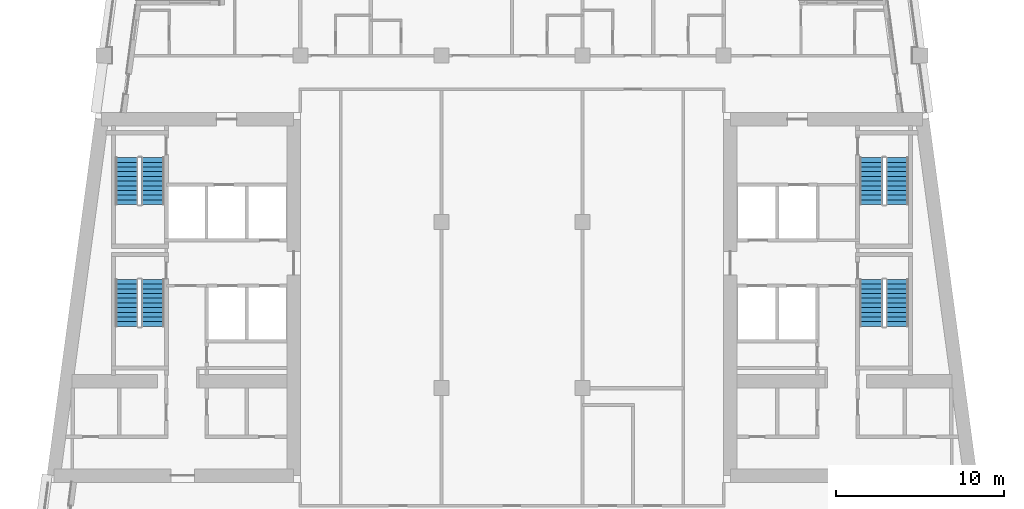
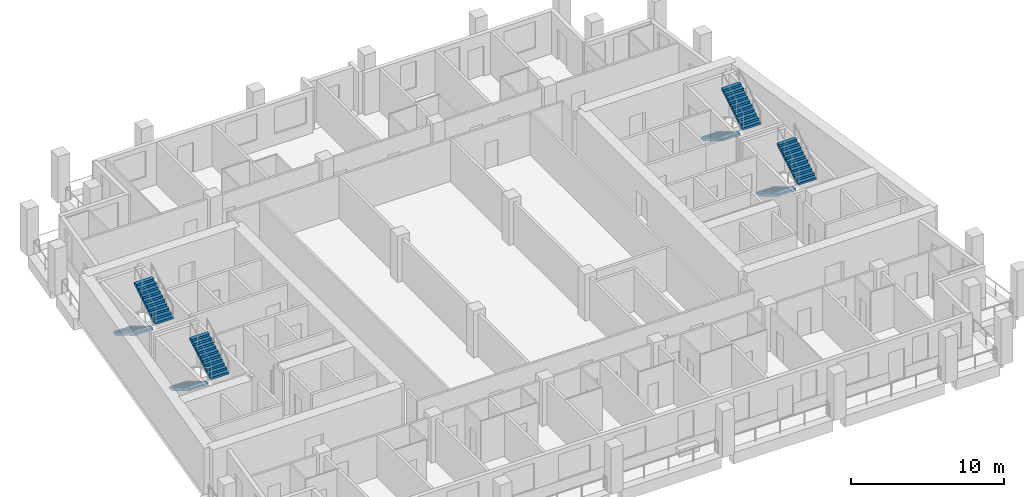
# One storey, part 8 of 13: 8 stair flights, 4 elements without a shape of their own.
"""IFC4 building model written with IfcOpenShell, lengths in metres."""

from ifc_helpers import new_model, si_unit, direction, frame, origin, place, context, subcontext, project, spatial, polyline, outline, extrude, material, type_object, element, aggregate, save


model = new_model("IFC4")

# Units and contexts
model_context = context("Model", 3, precision=1e-05, world=origin(), true_north=direction((0.0, 1.0)))
body_context = subcontext(model_context, "Body", "Model", "MODEL_VIEW")
ifc_project = project(units=[si_unit("LENGTHUNIT", "METRE"), si_unit("AREAUNIT", "SQUARE_METRE"), si_unit("VOLUMEUNIT", "CUBIC_METRE"), si_unit("PLANEANGLEUNIT", "RADIAN"), si_unit("MASSUNIT", "GRAM", prefix="KILO")], contexts=[model_context])

# Site, building, storey
site_placement = place(None, origin())
site = spatial("IfcSite", under=ifc_project, at=site_placement, CompositionType="ELEMENT")
building_placement = place(site_placement, origin())
building = spatial("IfcBuilding", under=site, at=building_placement, Name="Candeia Pilgrim Tower and Theatre", CompositionType="ELEMENT")
storey_placement = place(building_placement, frame((0.0, 0.0, 205.89990234375)))
storey = spatial("IfcBuildingStorey", under=building, at=storey_placement, Name="L49", CompositionType="ELEMENT", Elevation=205.89990234375)

# Stair, stair flights
ifc_material = material(Name="Concrete C40/50", Category="concrete")
stair_type = type_object("IfcStairType", Name="ST-TWR dog-leg escape stair", PredefinedType="HALF_TURN_STAIR", material=ifc_material)
stair_1_placement = place(storey_placement, origin())
stair_1 = element("IfcStair", 1, at=stair_1_placement, inside=storey, type_object=stair_type, Name="L49 Escape stair ST1", PredefinedType="HALF_TURN_STAIR")
stair_flight_type = type_object("IfcStairFlightType", Name="SFL-RC stair flight", PredefinedType="STRAIGHT", material=ifc_material)
stair_flight_1_placement = place(storey_placement, frame((90.47705078125, 122.47509765625, 0.0), z_axis=(0.0, 0.0, 1.0), x_axis=(0.0, -1.0, 0.0)))
stair_flight_1 = element("IfcStairFlight", 2, at=stair_flight_1_placement, type_object=stair_flight_type, Name="ST1 flight 1", NumberOfRisers=11, NumberOfTreads=10, PredefinedType="STRAIGHT", RiserHeight=0.168181818, TreadLength=0.28, context=body_context, shape_type="SweptSolid", body=[
    extrude(outline(polyline([(0.0, 0.0), (0.0, 0.168212890625), (0.280029296875, 0.168212890625), (0.280029296875, 0.33642578125), (0.56005859375, 0.33642578125), (0.56005859375, 0.504638671875), (0.840087890625, 0.504638671875), (0.840087890625, 0.672607421875), (1.1201171875, 0.672607421875), (1.1201171875, 0.8408203125), (1.39990234375, 0.8408203125), (1.39990234375, 1.009033203125), (1.679931640625, 1.009033203125), (1.679931640625, 1.17724609375), (1.9599609375, 1.17724609375), (1.9599609375, 1.345458984375), (2.239990234375, 1.345458984375), (2.239990234375, 1.513671875), (2.52001953125, 1.513671875), (2.52001953125, 1.681884765625), (2.800048828125, 1.681884765625), (2.800048828125, 1.85009765625), (2.800048828125, 1.5068359375), (0.291015625, 0.0), (0.0, 0.0)])), frame((0.0, 0.675048828125, 0.0), z_axis=(0.0, -1.0, 0.0), x_axis=(1.0, 0.0, 0.0)), (0.0, 0.0, 1.0), 1.35009765625),
])
stair_flight_2_placement = place(storey_placement, frame((92.027099609375, 119.675048828125, 1.85009765625), z_axis=(0.0, 0.0, 1.0), x_axis=(0.0, 1.0, 0.0)))
stair_flight_2 = element("IfcStairFlight", 3, at=stair_flight_2_placement, type_object=stair_flight_type, Name="ST1 flight 2", NumberOfRisers=11, NumberOfTreads=10, PredefinedType="STRAIGHT", RiserHeight=0.168181818, TreadLength=0.28, context=body_context, shape_type="SweptSolid", body=[
    extrude(outline(polyline([(0.0, 0.0), (0.0, 0.168212890625), (0.280029296875, 0.168212890625), (0.280029296875, 0.33642578125), (0.56005859375, 0.33642578125), (0.56005859375, 0.504638671875), (0.840087890625, 0.504638671875), (0.840087890625, 0.672607421875), (1.1201171875, 0.672607421875), (1.1201171875, 0.8408203125), (1.39990234375, 0.8408203125), (1.39990234375, 1.009033203125), (1.679931640625, 1.009033203125), (1.679931640625, 1.17724609375), (1.9599609375, 1.17724609375), (1.9599609375, 1.345458984375), (2.239990234375, 1.345458984375), (2.239990234375, 1.513671875), (2.52001953125, 1.513671875), (2.52001953125, 1.681884765625), (2.800048828125, 1.681884765625), (2.800048828125, 1.85009765625), (2.800048828125, 1.5068359375), (0.291015625, 0.0), (0.0, 0.0)])), frame((0.0, 0.675048828125, 0.0), z_axis=(0.0, -1.0, 0.0), x_axis=(1.0, 0.0, 0.0)), (0.0, 0.0, 1.0), 1.35009765625),
])
aggregate(stair_1, [stair_flight_1, stair_flight_2])

stair_2_placement = place(storey_placement, origin())
stair_2 = element("IfcStair", 4, at=stair_2_placement, inside=storey, type_object=stair_type, Name="L49 Escape stair ST2", PredefinedType="HALF_TURN_STAIR")
stair_flight_3_placement = place(storey_placement, frame((90.47705078125, 129.72509765625, 0.0), z_axis=(0.0, 0.0, 1.0), x_axis=(0.0, -1.0, 0.0)))
stair_flight_3 = element("IfcStairFlight", 5, at=stair_flight_3_placement, type_object=stair_flight_type, Name="ST2 flight 1", NumberOfRisers=11, NumberOfTreads=10, PredefinedType="STRAIGHT", RiserHeight=0.168181818, TreadLength=0.28, context=body_context, shape_type="SweptSolid", body=[
    extrude(outline(polyline([(0.0, 0.0), (0.0, 0.168212890625), (0.280029296875, 0.168212890625), (0.280029296875, 0.33642578125), (0.56005859375, 0.33642578125), (0.56005859375, 0.504638671875), (0.840087890625, 0.504638671875), (0.840087890625, 0.672607421875), (1.1201171875, 0.672607421875), (1.1201171875, 0.8408203125), (1.39990234375, 0.8408203125), (1.39990234375, 1.009033203125), (1.679931640625, 1.009033203125), (1.679931640625, 1.17724609375), (1.9599609375, 1.17724609375), (1.9599609375, 1.345458984375), (2.239990234375, 1.345458984375), (2.239990234375, 1.513671875), (2.52001953125, 1.513671875), (2.52001953125, 1.681884765625), (2.800048828125, 1.681884765625), (2.800048828125, 1.85009765625), (2.800048828125, 1.5068359375), (0.291015625, 0.0), (0.0, 0.0)])), frame((0.0, 0.675048828125, 0.0), z_axis=(0.0, -1.0, 0.0), x_axis=(1.0, 0.0, 0.0)), (0.0, 0.0, 1.0), 1.35009765625),
])
stair_flight_4_placement = place(storey_placement, frame((92.027099609375, 126.925048828125, 1.85009765625), z_axis=(0.0, 0.0, 1.0), x_axis=(0.0, 1.0, 0.0)))
stair_flight_4 = element("IfcStairFlight", 6, at=stair_flight_4_placement, type_object=stair_flight_type, Name="ST2 flight 2", NumberOfRisers=11, NumberOfTreads=10, PredefinedType="STRAIGHT", RiserHeight=0.168181818, TreadLength=0.28, context=body_context, shape_type="SweptSolid", body=[
    extrude(outline(polyline([(0.0, 0.0), (0.0, 0.168212890625), (0.280029296875, 0.168212890625), (0.280029296875, 0.33642578125), (0.56005859375, 0.33642578125), (0.56005859375, 0.504638671875), (0.840087890625, 0.504638671875), (0.840087890625, 0.672607421875), (1.1201171875, 0.672607421875), (1.1201171875, 0.8408203125), (1.39990234375, 0.8408203125), (1.39990234375, 1.009033203125), (1.679931640625, 1.009033203125), (1.679931640625, 1.17724609375), (1.9599609375, 1.17724609375), (1.9599609375, 1.345458984375), (2.239990234375, 1.345458984375), (2.239990234375, 1.513671875), (2.52001953125, 1.513671875), (2.52001953125, 1.681884765625), (2.800048828125, 1.681884765625), (2.800048828125, 1.85009765625), (2.800048828125, 1.5068359375), (0.291015625, 0.0), (0.0, 0.0)])), frame((0.0, 0.675048828125, 0.0), z_axis=(0.0, -1.0, 0.0), x_axis=(1.0, 0.0, 0.0)), (0.0, 0.0, 1.0), 1.35009765625),
])
aggregate(stair_2, [stair_flight_3, stair_flight_4])

stair_3_placement = place(storey_placement, origin())
stair_3 = element("IfcStair", 7, at=stair_3_placement, inside=storey, type_object=stair_type, Name="L49 Escape stair ST3", PredefinedType="HALF_TURN_STAIR")
stair_flight_5_placement = place(storey_placement, frame((134.77294921875, 122.47509765625, 0.0), z_axis=(0.0, 0.0, 1.0), x_axis=(0.0, -1.0, 0.0)))
stair_flight_5 = element("IfcStairFlight", 8, at=stair_flight_5_placement, type_object=stair_flight_type, Name="ST3 flight 1", NumberOfRisers=11, NumberOfTreads=10, PredefinedType="STRAIGHT", RiserHeight=0.168181818, TreadLength=0.28, context=body_context, shape_type="SweptSolid", body=[
    extrude(outline(polyline([(0.0, 0.0), (0.0, 0.168212890625), (0.280029296875, 0.168212890625), (0.280029296875, 0.33642578125), (0.56005859375, 0.33642578125), (0.56005859375, 0.504638671875), (0.840087890625, 0.504638671875), (0.840087890625, 0.672607421875), (1.1201171875, 0.672607421875), (1.1201171875, 0.8408203125), (1.39990234375, 0.8408203125), (1.39990234375, 1.009033203125), (1.679931640625, 1.009033203125), (1.679931640625, 1.17724609375), (1.9599609375, 1.17724609375), (1.9599609375, 1.345458984375), (2.239990234375, 1.345458984375), (2.239990234375, 1.513671875), (2.52001953125, 1.513671875), (2.52001953125, 1.681884765625), (2.800048828125, 1.681884765625), (2.800048828125, 1.85009765625), (2.800048828125, 1.5068359375), (0.291015625, 0.0), (0.0, 0.0)])), frame((0.0, 0.675048828125, 0.0), z_axis=(0.0, -1.0, 0.0), x_axis=(1.0, 0.0, 0.0)), (0.0, 0.0, 1.0), 1.35009765625),
])
stair_flight_6_placement = place(storey_placement, frame((136.322998046875, 119.675048828125, 1.85009765625), z_axis=(0.0, 0.0, 1.0), x_axis=(0.0, 1.0, 0.0)))
stair_flight_6 = element("IfcStairFlight", 9, at=stair_flight_6_placement, type_object=stair_flight_type, Name="ST3 flight 2", NumberOfRisers=11, NumberOfTreads=10, PredefinedType="STRAIGHT", RiserHeight=0.168181818, TreadLength=0.28, context=body_context, shape_type="SweptSolid", body=[
    extrude(outline(polyline([(0.0, 0.0), (0.0, 0.168212890625), (0.280029296875, 0.168212890625), (0.280029296875, 0.33642578125), (0.56005859375, 0.33642578125), (0.56005859375, 0.504638671875), (0.840087890625, 0.504638671875), (0.840087890625, 0.672607421875), (1.1201171875, 0.672607421875), (1.1201171875, 0.8408203125), (1.39990234375, 0.8408203125), (1.39990234375, 1.009033203125), (1.679931640625, 1.009033203125), (1.679931640625, 1.17724609375), (1.9599609375, 1.17724609375), (1.9599609375, 1.345458984375), (2.239990234375, 1.345458984375), (2.239990234375, 1.513671875), (2.52001953125, 1.513671875), (2.52001953125, 1.681884765625), (2.800048828125, 1.681884765625), (2.800048828125, 1.85009765625), (2.800048828125, 1.5068359375), (0.291015625, 0.0), (0.0, 0.0)])), frame((0.0, 0.675048828125, 0.0), z_axis=(0.0, -1.0, 0.0), x_axis=(1.0, 0.0, 0.0)), (0.0, 0.0, 1.0), 1.35009765625),
])
aggregate(stair_3, [stair_flight_5, stair_flight_6])

stair_4_placement = place(storey_placement, origin())
stair_4 = element("IfcStair", 10, at=stair_4_placement, inside=storey, type_object=stair_type, Name="L49 Escape stair ST4", PredefinedType="HALF_TURN_STAIR")
stair_flight_7_placement = place(storey_placement, frame((134.77294921875, 129.72509765625, 0.0), z_axis=(0.0, 0.0, 1.0), x_axis=(0.0, -1.0, 0.0)))
stair_flight_7 = element("IfcStairFlight", 11, at=stair_flight_7_placement, type_object=stair_flight_type, Name="ST4 flight 1", NumberOfRisers=11, NumberOfTreads=10, PredefinedType="STRAIGHT", RiserHeight=0.168181818, TreadLength=0.28, context=body_context, shape_type="SweptSolid", body=[
    extrude(outline(polyline([(0.0, 0.0), (0.0, 0.168212890625), (0.280029296875, 0.168212890625), (0.280029296875, 0.33642578125), (0.56005859375, 0.33642578125), (0.56005859375, 0.504638671875), (0.840087890625, 0.504638671875), (0.840087890625, 0.672607421875), (1.1201171875, 0.672607421875), (1.1201171875, 0.8408203125), (1.39990234375, 0.8408203125), (1.39990234375, 1.009033203125), (1.679931640625, 1.009033203125), (1.679931640625, 1.17724609375), (1.9599609375, 1.17724609375), (1.9599609375, 1.345458984375), (2.239990234375, 1.345458984375), (2.239990234375, 1.513671875), (2.52001953125, 1.513671875), (2.52001953125, 1.681884765625), (2.800048828125, 1.681884765625), (2.800048828125, 1.85009765625), (2.800048828125, 1.5068359375), (0.291015625, 0.0), (0.0, 0.0)])), frame((0.0, 0.675048828125, 0.0), z_axis=(0.0, -1.0, 0.0), x_axis=(1.0, 0.0, 0.0)), (0.0, 0.0, 1.0), 1.35009765625),
])
stair_flight_8_placement = place(storey_placement, frame((136.322998046875, 126.925048828125, 1.85009765625), z_axis=(0.0, 0.0, 1.0), x_axis=(0.0, 1.0, 0.0)))
stair_flight_8 = element("IfcStairFlight", 12, at=stair_flight_8_placement, type_object=stair_flight_type, Name="ST4 flight 2", NumberOfRisers=11, NumberOfTreads=10, PredefinedType="STRAIGHT", RiserHeight=0.168181818, TreadLength=0.28, context=body_context, shape_type="SweptSolid", body=[
    extrude(outline(polyline([(0.0, 0.0), (0.0, 0.168212890625), (0.280029296875, 0.168212890625), (0.280029296875, 0.33642578125), (0.56005859375, 0.33642578125), (0.56005859375, 0.504638671875), (0.840087890625, 0.504638671875), (0.840087890625, 0.672607421875), (1.1201171875, 0.672607421875), (1.1201171875, 0.8408203125), (1.39990234375, 0.8408203125), (1.39990234375, 1.009033203125), (1.679931640625, 1.009033203125), (1.679931640625, 1.17724609375), (1.9599609375, 1.17724609375), (1.9599609375, 1.345458984375), (2.239990234375, 1.345458984375), (2.239990234375, 1.513671875), (2.52001953125, 1.513671875), (2.52001953125, 1.681884765625), (2.800048828125, 1.681884765625), (2.800048828125, 1.85009765625), (2.800048828125, 1.5068359375), (0.291015625, 0.0), (0.0, 0.0)])), frame((0.0, 0.675048828125, 0.0), z_axis=(0.0, -1.0, 0.0), x_axis=(1.0, 0.0, 0.0)), (0.0, 0.0, 1.0), 1.35009765625),
])
aggregate(stair_4, [stair_flight_7, stair_flight_8])

save(model, "model.ifc")
